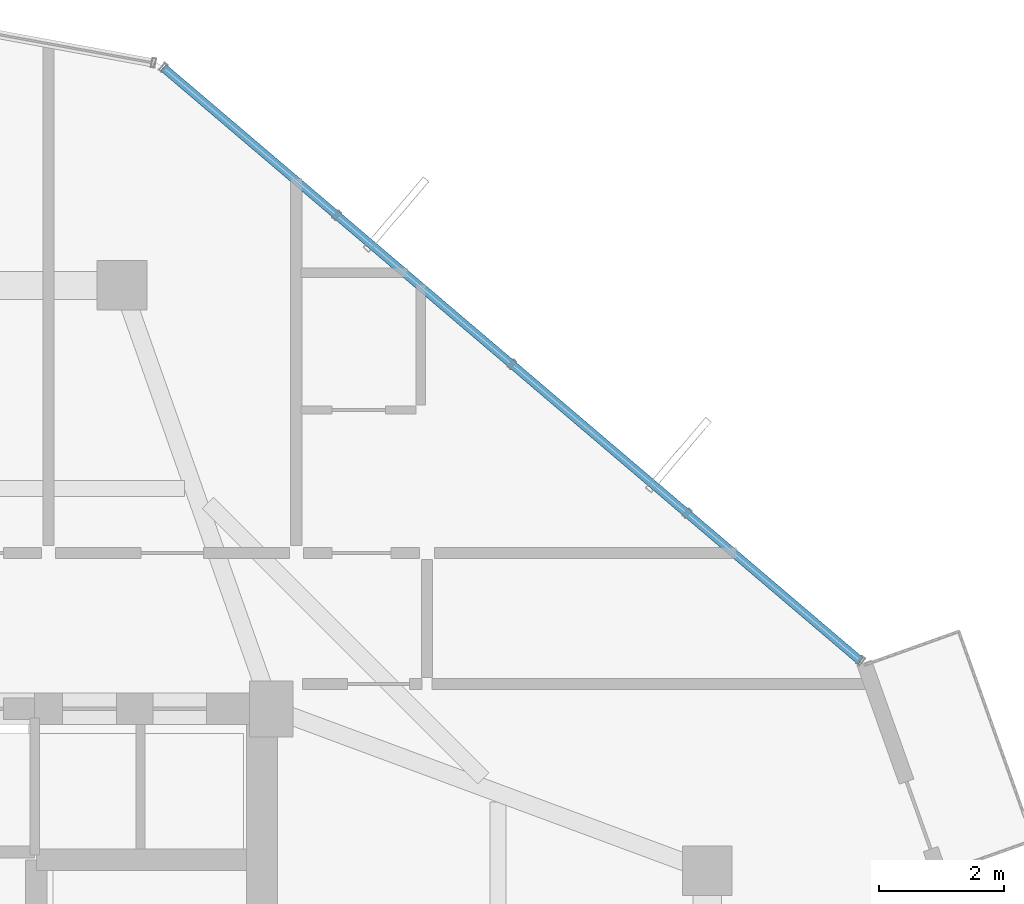
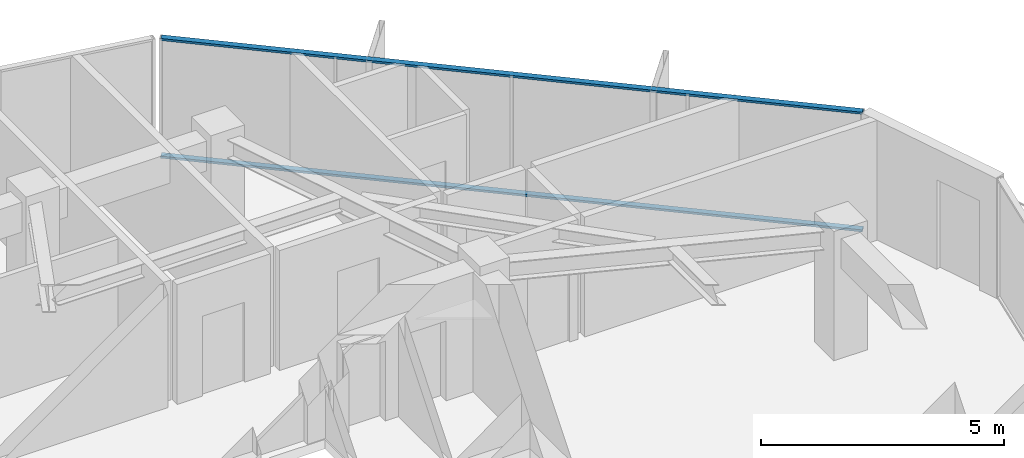
# One storey, part 17 of 29: 2 members, 1 element without a shape of its own.
"""IFC4 building model written with IfcOpenShell, lengths in metres."""

from ifc_helpers import new_model, si_unit, direction, frame, origin, origin_2d, place, context, subcontext, project, spatial, hollow_rectangle, extrude, source, transform, mapped, material, layer, layer_set, material_profile, profile_set, type_object, element, aggregate, save


model = new_model("IFC4")

# Units and contexts
model_context = context("Model", 3, precision=1e-05, world=origin(), true_north=direction((0.0, 1.0)))
body_context = subcontext(model_context, "Body", "Model", "MODEL_VIEW")
ifc_project = project(units=[si_unit("LENGTHUNIT", "METRE"), si_unit("AREAUNIT", "SQUARE_METRE"), si_unit("VOLUMEUNIT", "CUBIC_METRE"), si_unit("PLANEANGLEUNIT", "RADIAN"), si_unit("MASSUNIT", "GRAM", prefix="KILO")], contexts=[model_context])

# Site, building, storey
site_placement = place(None, origin())
site = spatial("IfcSite", under=ifc_project, at=site_placement, CompositionType="ELEMENT")
building_placement = place(site_placement, origin())
building = spatial("IfcBuilding", under=site, at=building_placement, Name="Veraguas Prism Commons", CompositionType="ELEMENT")
storey_placement = place(building_placement, frame((0.0, 0.0, 244.75)))
storey = spatial("IfcBuildingStorey", under=building, at=storey_placement, Name="L69", CompositionType="ELEMENT", Elevation=244.75)

# Curtain wall, members
ifc_material = material(Name="Anodised aluminium EN AW-6063 T6", Category="aluminium")
ifc_layer = layer(ifc_material, 0.14990234375, Name="Unitised Flush Curtain Wall Zone 4", Category="aluminium")
ifc_layer_set = layer_set([ifc_layer], Name="Anodised aluminium EN AW-6063 T6")
curtain_wall_type = type_object("IfcCurtainWallType", Name="Unitised Flush Curtain Wall Zone 4", PredefinedType="NOTDEFINED", material=ifc_layer_set)
curtain_wall_placement = place(storey_placement, origin())
curtain_wall = element("IfcCurtainWall", 1, at=curtain_wall_placement, inside=storey, type_object=curtain_wall_type, Name="Tower Facade Curtain Wall L69-F1", PredefinedType="NOTDEFINED")
ifc_material_profile = material_profile(ifc_material, hollow_rectangle(XDim=0.054931640625, YDim=0.135009765625, WallThickness=0.0029296875, at=origin_2d()), Name="AL55X135X3")
ifc_profile_set = profile_set([ifc_material_profile], Name="Anodised aluminium EN AW-6063 T6")
member_type = type_object("IfcMemberType", Name="Curtain Wall Transom Standard AL 55x135x3", PredefinedType="USERDEFINED", material=ifc_profile_set)
shared_shape = source(origin(), body_context, "Body", "SweptSolid", [
    extrude(hollow_rectangle(XDim=0.054931640625, YDim=0.135009765625, WallThickness=0.0029296875, at=origin_2d()), origin(), (0.0, 0.0, 1.0), 14.706298828125),
])
member_1_placement = place(storey_placement, frame((40.26416015625, 31.764892578125, 0.027587890625), z_axis=(-0.761538169352, 0.648120063429, 0.0), x_axis=(0.0, 0.0, 1.0)))
member_1 = element("IfcMember", 2, at=member_1_placement, type_object=member_type, Name="CW-Z4 Transom 1", ObjectType="TRANSOM", PredefinedType="USERDEFINED", context=body_context, shape_type="MappedRepresentation", body=[
    mapped(shared_shape, transform((0.0, 0.0, 0.0), scale=1.0)),
])
member_2_placement = place(storey_placement, frame((40.26416015625, 31.764892578125, 2.987548828125), z_axis=(-0.761538169352, 0.648120063429, 0.0), x_axis=(0.0, 0.0, 1.0)))
member_2 = element("IfcMember", 3, at=member_2_placement, type_object=member_type, Name="CW-Z4 Transom 2", ObjectType="TRANSOM", PredefinedType="USERDEFINED", context=body_context, shape_type="MappedRepresentation", body=[
    mapped(shared_shape, transform((0.0, 0.0, 0.0), scale=1.0)),
])
aggregate(curtain_wall, [member_1, member_2])

save(model, "model.ifc")
